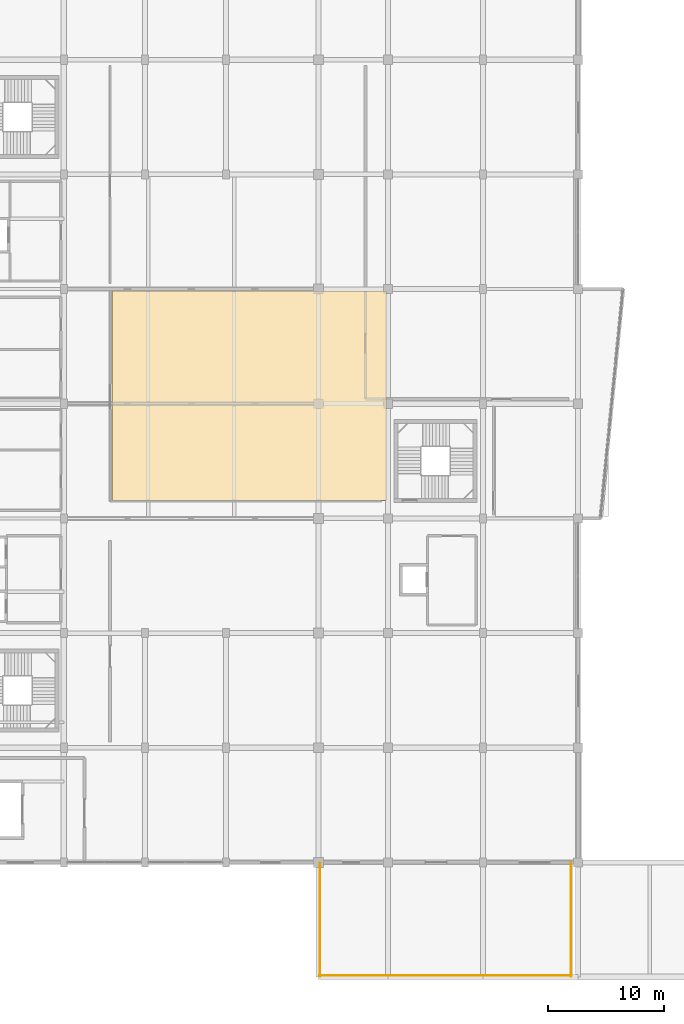
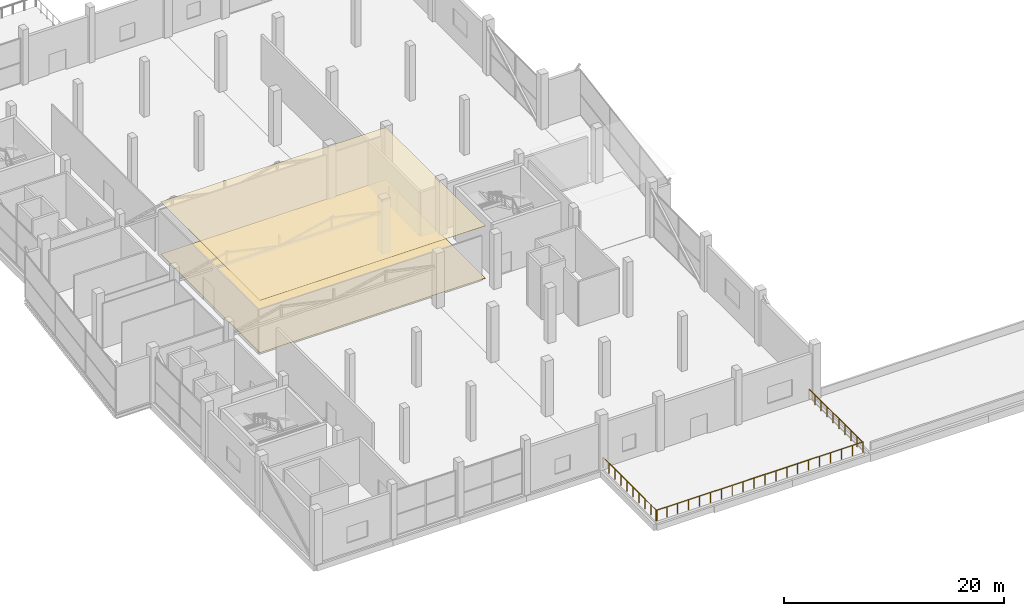
# One storey, part 55 of 58: 3 railings, 2 coverings.
"""IFC4 building model written with IfcOpenShell, lengths in metres."""

from ifc_helpers import new_model, si_unit, direction, frame, origin, origin_2d, place, context, subcontext, project, spatial, polyline, circle, outline, extrude, material, layer, layer_set, type_object, element, save


model = new_model("IFC4")

# Units and contexts
model_context = context("Model", 3, precision=1e-05, world=origin(), true_north=direction((0.0, 1.0)))
body_context = subcontext(model_context, "Body", "Model", "MODEL_VIEW")
ifc_project = project(units=[si_unit("LENGTHUNIT", "METRE"), si_unit("AREAUNIT", "SQUARE_METRE"), si_unit("VOLUMEUNIT", "CUBIC_METRE"), si_unit("PLANEANGLEUNIT", "RADIAN"), si_unit("MASSUNIT", "GRAM", prefix="KILO")], contexts=[model_context])

# Site, building, storey
site_placement = place(None, origin())
site = spatial("IfcSite", under=ifc_project, at=site_placement, CompositionType="ELEMENT")
building_placement = place(site_placement, origin())
building = spatial("IfcBuilding", under=site, at=building_placement, Name="Sillaruma Civic Art Gallery", CompositionType="ELEMENT")
storey_placement = place(building_placement, frame((0.0, 0.0, 22.43994140625)))
storey = spatial("IfcBuildingStorey", under=building, at=storey_placement, Name="L04", CompositionType="ELEMENT", Elevation=22.43994140625)

# Coverings
ifc_material_1 = material(Name="Gypsum Acoustic Board", Category="gypsum")
ifc_layer_1 = layer(ifc_material_1, 0.030029296875, Name="Gypsum Acoustic Board")
ifc_layer_set_1 = layer_set([ifc_layer_1], Name="Gypsum Acoustic Board")
covering_type_1 = type_object("IfcCoveringType", Name="COV-CLG-30", PredefinedType="CEILING", material=ifc_layer_set_1)
covering_1_placement = place(storey_placement, frame((0.0, 0.0, 5.81005859375)))
element("IfcCovering", 1, at=covering_1_placement, inside=storey, type_object=covering_type_1, Name="Acoustic Gallery Ceiling (L04-GAL41)", PredefinedType="CEILING", context=body_context, shape_type="SweptSolid", body=[
    extrude(outline(polyline([(74.159912109375, 51.06005859375), (97.840087890625, 51.06005859375), (97.840087890625, 69.139892578125), (74.159912109375, 69.139892578125), (74.159912109375, 51.06005859375)])), origin(), (0.0, 0.0, 1.0), 0.030029296875),
])
ifc_material_2 = material(Name="Basalt Paver Stone", Category="masonry")
ifc_layer_2 = layer(ifc_material_2, 0.034912109375, Name="Basalt Paver Stone")
ifc_layer_set_2 = layer_set([ifc_layer_2], Name="Basalt Paver Stone")
covering_type_2 = type_object("IfcCoveringType", Name="COV-FLR-35", PredefinedType="FLOORING", material=ifc_layer_set_2)
covering_2_placement = place(storey_placement, origin())
element("IfcCovering", 2, at=covering_2_placement, inside=storey, type_object=covering_type_2, Name="Gallery Stone Terrazzo Flooring (L04-GAL41)", PredefinedType="FLOORING", context=body_context, shape_type="SweptSolid", body=[
    extrude(outline(polyline([(74.159912109375, 51.06005859375), (97.840087890625, 51.06005859375), (97.840087890625, 69.139892578125), (74.159912109375, 69.139892578125), (74.159912109375, 51.06005859375)])), origin(), (0.0, 0.0, 1.0), 0.03515625),
])

# Railings
ifc_material_3 = material(Name="Stainless Steel AISI 316", Category="steel")
railing_type = type_object("IfcRailingType", Name="RAL-BAL-1150", PredefinedType="BALUSTRADE", material=ifc_material_3)
railing_1_placement = place(storey_placement, frame((92.1201171875, 9.9599609375, 0.0)))
element("IfcRailing", 3, at=railing_1_placement, inside=storey, type_object=railing_type, Name="Sculpture Terrace Balustrade (SLB-L04-TER-S-1)", PredefinedType="BALUSTRADE", context=body_context, shape_type="SweptSolid", body=[
    extrude(circle(Radius=0.02392578125, at=origin_2d()), frame((0.0, 0.0, 1.1259765625), z_axis=(0.0, 1.0, 0.0), x_axis=(-1.0, 0.0, 0.0)), (0.0, 0.0, 1.0), 9.780029296875),
    extrude(circle(Radius=0.02099609375, at=origin_2d()), origin(), (0.0, 0.0, 1.0), 1.101806640625),
    extrude(circle(Radius=0.02099609375, at=origin_2d()), frame((0.0, 1.086669921875, 0.0)), (0.0, 0.0, 1.0), 1.101806640625),
    extrude(circle(Radius=0.02099609375, at=origin_2d()), frame((0.0, 2.17333984375, 0.0)), (0.0, 0.0, 1.0), 1.101806640625),
    extrude(circle(Radius=0.02099609375, at=origin_2d()), frame((0.0, 3.260009765625, 0.0)), (0.0, 0.0, 1.0), 1.101806640625),
    extrude(circle(Radius=0.02099609375, at=origin_2d()), frame((0.0, 4.3466796875, 0.0)), (0.0, 0.0, 1.0), 1.101806640625),
    extrude(circle(Radius=0.02099609375, at=origin_2d()), frame((0.0, 5.433349609375, 0.0)), (0.0, 0.0, 1.0), 1.101806640625),
    extrude(circle(Radius=0.02099609375, at=origin_2d()), frame((0.0, 6.52001953125, 0.0)), (0.0, 0.0, 1.0), 1.101806640625),
    extrude(circle(Radius=0.02099609375, at=origin_2d()), frame((0.0, 7.606689453125, 0.0)), (0.0, 0.0, 1.0), 1.101806640625),
    extrude(circle(Radius=0.02099609375, at=origin_2d()), frame((0.0, 8.693359375, 0.0)), (0.0, 0.0, 1.0), 1.101806640625),
    extrude(circle(Radius=0.02099609375, at=origin_2d()), frame((0.0, 9.780029296875, 0.0)), (0.0, 0.0, 1.0), 1.101806640625),
])
railing_2_placement = place(storey_placement, frame((92.06005859375, 10.02001953125, 0.0)))
element("IfcRailing", 4, at=railing_2_placement, inside=storey, type_object=railing_type, Name="Sculpture Terrace Balustrade (SLB-L04-TER-S-2)", PredefinedType="BALUSTRADE", context=body_context, shape_type="SweptSolid", body=[
    extrude(circle(Radius=0.02392578125, at=origin_2d()), frame((0.0, 0.0, 1.1259765625), z_axis=(1.0, 0.0, 0.0), x_axis=(0.0, 1.0, 0.0)), (0.0, 0.0, 1.0), 21.780029296875),
    extrude(circle(Radius=0.02099609375, at=origin_2d()), origin(), (0.0, 0.0, 1.0), 1.101806640625),
    extrude(circle(Radius=0.02099609375, at=origin_2d()), frame((1.146240234375, 0.0, 0.0)), (0.0, 0.0, 1.0), 1.101806640625),
    extrude(circle(Radius=0.02099609375, at=origin_2d()), frame((2.292724609375, 0.0, 0.0)), (0.0, 0.0, 1.0), 1.101806640625),
    extrude(circle(Radius=0.02099609375, at=origin_2d()), frame((3.43896484375, 0.0, 0.0)), (0.0, 0.0, 1.0), 1.101806640625),
    extrude(circle(Radius=0.02099609375, at=origin_2d()), frame((4.585205078125, 0.0, 0.0)), (0.0, 0.0, 1.0), 1.101806640625),
    extrude(circle(Radius=0.02099609375, at=origin_2d()), frame((5.731689453125, 0.0, 0.0)), (0.0, 0.0, 1.0), 1.101806640625),
    extrude(circle(Radius=0.02099609375, at=origin_2d()), frame((6.8779296875, 0.0, 0.0)), (0.0, 0.0, 1.0), 1.101806640625),
    extrude(circle(Radius=0.02099609375, at=origin_2d()), frame((8.024169921875, 0.0, 0.0)), (0.0, 0.0, 1.0), 1.101806640625),
    extrude(circle(Radius=0.02099609375, at=origin_2d()), frame((9.170654296875, 0.0, 0.0)), (0.0, 0.0, 1.0), 1.101806640625),
    extrude(circle(Radius=0.02099609375, at=origin_2d()), frame((10.31689453125, 0.0, 0.0)), (0.0, 0.0, 1.0), 1.101806640625),
    extrude(circle(Radius=0.02099609375, at=origin_2d()), frame((11.463134765625, 0.0, 0.0)), (0.0, 0.0, 1.0), 1.101806640625),
    extrude(circle(Radius=0.02099609375, at=origin_2d()), frame((12.609375, 0.0, 0.0)), (0.0, 0.0, 1.0), 1.101806640625),
    extrude(circle(Radius=0.02099609375, at=origin_2d()), frame((13.755859375, 0.0, 0.0)), (0.0, 0.0, 1.0), 1.101806640625),
    extrude(circle(Radius=0.02099609375, at=origin_2d()), frame((14.902099609375, 0.0, 0.0)), (0.0, 0.0, 1.0), 1.101806640625),
    extrude(circle(Radius=0.02099609375, at=origin_2d()), frame((16.04833984375, 0.0, 0.0)), (0.0, 0.0, 1.0), 1.101806640625),
    extrude(circle(Radius=0.02099609375, at=origin_2d()), frame((17.19482421875, 0.0, 0.0)), (0.0, 0.0, 1.0), 1.101806640625),
    extrude(circle(Radius=0.02099609375, at=origin_2d()), frame((18.341064453125, 0.0, 0.0)), (0.0, 0.0, 1.0), 1.101806640625),
    extrude(circle(Radius=0.02099609375, at=origin_2d()), frame((19.4873046875, 0.0, 0.0)), (0.0, 0.0, 1.0), 1.101806640625),
    extrude(circle(Radius=0.02099609375, at=origin_2d()), frame((20.6337890625, 0.0, 0.0)), (0.0, 0.0, 1.0), 1.101806640625),
    extrude(circle(Radius=0.02099609375, at=origin_2d()), frame((21.780029296875, 0.0, 0.0)), (0.0, 0.0, 1.0), 1.101806640625),
])
railing_3_placement = place(storey_placement, frame((113.780029296875, 9.9599609375, 0.0)))
element("IfcRailing", 5, at=railing_3_placement, inside=storey, type_object=railing_type, Name="Sculpture Terrace Balustrade (SLB-L04-TER-S-3)", PredefinedType="BALUSTRADE", context=body_context, shape_type="SweptSolid", body=[
    extrude(circle(Radius=0.02392578125, at=origin_2d()), frame((0.0, 0.0, 1.1259765625), z_axis=(0.0, 1.0, 0.0), x_axis=(-1.0, 0.0, 0.0)), (0.0, 0.0, 1.0), 9.780029296875),
    extrude(circle(Radius=0.02099609375, at=origin_2d()), origin(), (0.0, 0.0, 1.0), 1.101806640625),
    extrude(circle(Radius=0.02099609375, at=origin_2d()), frame((0.0, 1.086669921875, 0.0)), (0.0, 0.0, 1.0), 1.101806640625),
    extrude(circle(Radius=0.02099609375, at=origin_2d()), frame((0.0, 2.17333984375, 0.0)), (0.0, 0.0, 1.0), 1.101806640625),
    extrude(circle(Radius=0.02099609375, at=origin_2d()), frame((0.0, 3.260009765625, 0.0)), (0.0, 0.0, 1.0), 1.101806640625),
    extrude(circle(Radius=0.02099609375, at=origin_2d()), frame((0.0, 4.3466796875, 0.0)), (0.0, 0.0, 1.0), 1.101806640625),
    extrude(circle(Radius=0.02099609375, at=origin_2d()), frame((0.0, 5.433349609375, 0.0)), (0.0, 0.0, 1.0), 1.101806640625),
    extrude(circle(Radius=0.02099609375, at=origin_2d()), frame((0.0, 6.52001953125, 0.0)), (0.0, 0.0, 1.0), 1.101806640625),
    extrude(circle(Radius=0.02099609375, at=origin_2d()), frame((0.0, 7.606689453125, 0.0)), (0.0, 0.0, 1.0), 1.101806640625),
    extrude(circle(Radius=0.02099609375, at=origin_2d()), frame((0.0, 8.693359375, 0.0)), (0.0, 0.0, 1.0), 1.101806640625),
    extrude(circle(Radius=0.02099609375, at=origin_2d()), frame((0.0, 9.780029296875, 0.0)), (0.0, 0.0, 1.0), 1.101806640625),
])

save(model, "model.ifc")
